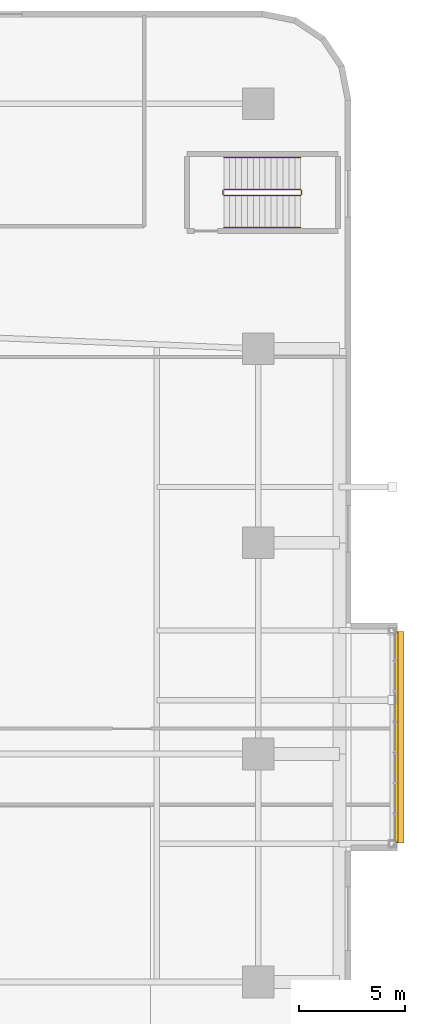
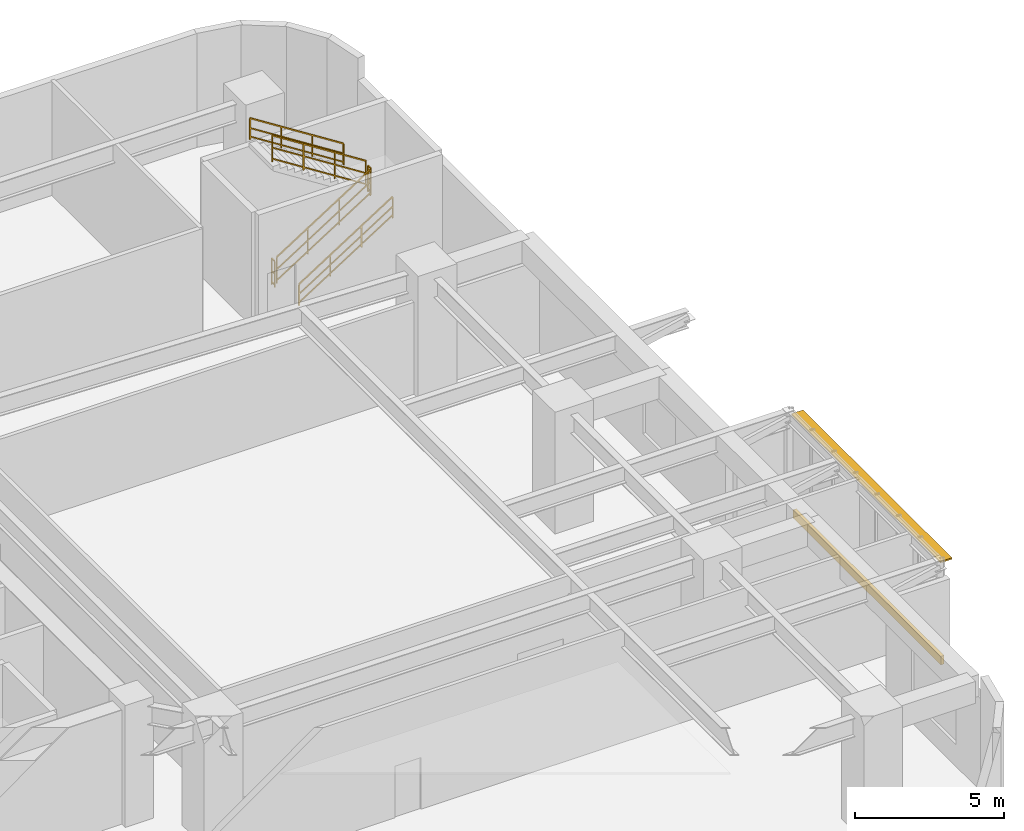
# One storey, part 22 of 23: 6 railings, 2 shading devices.
"""IFC4 building model written with IfcOpenShell, lengths in metres."""

from ifc_helpers import new_model, si_unit, direction, frame, origin, origin_2d, place, context, subcontext, project, spatial, rectangle, extrude, material, layer, layer_set, type_object, element, save


model = new_model("IFC4")

# Units and contexts
model_context = context("Model", 3, precision=1e-05, world=origin(), true_north=direction((0.0, 1.0)))
body_context = subcontext(model_context, "Body", "Model", "MODEL_VIEW")
ifc_project = project(units=[si_unit("LENGTHUNIT", "METRE"), si_unit("AREAUNIT", "SQUARE_METRE"), si_unit("VOLUMEUNIT", "CUBIC_METRE"), si_unit("PLANEANGLEUNIT", "RADIAN"), si_unit("MASSUNIT", "GRAM", prefix="KILO")], contexts=[model_context])

# Site, building, storey
site_placement = place(None, origin())
site = spatial("IfcSite", under=ifc_project, at=site_placement, CompositionType="ELEMENT")
building_placement = place(site_placement, origin())
building = spatial("IfcBuilding", under=site, at=building_placement, Name="Zulverin Broadcast Headquarters", CompositionType="ELEMENT")
storey_placement = place(building_placement, frame((0.0, 0.0, 10.0)))
storey = spatial("IfcBuildingStorey", under=building, at=storey_placement, Name="L02", CompositionType="ELEMENT", Elevation=10.0)

# Railings
ifc_material_1 = material(Name="Painted galvanized steel tubular guardrail S355JR", Category="steel")
railing_type_1 = type_object("IfcRailingType", Name="RL-ST-GUARD", PredefinedType="GUARDRAIL", material=ifc_material_1)
railing_1_placement = place(storey_placement, frame((67.969970703125, 41.64990234375, 0.178466796875)))
element("IfcRailing", 1, at=railing_1_placement, inside=storey, type_object=railing_type_1, Name="L02 ST-4 stair guard 1", PredefinedType="GUARDRAIL", context=body_context, shape_type="SweptSolid", body=[
    extrude(rectangle(XDim=0.048095703125, YDim=0.048095703125, at=origin_2d()), frame((0.0, 0.0, 1.076171875), z_axis=(0.843127859045, 0.0, 0.537713132908), x_axis=(0.0, 1.0, 0.0)), (0.0, 0.0, 1.0), 4.3173828125),
    extrude(rectangle(XDim=0.0419921875, YDim=0.0419921875, at=origin_2d()), frame((0.0, 0.0, 0.572021484375), z_axis=(0.843127859045, 0.0, 0.537713132908), x_axis=(0.0, 1.0, 0.0)), (0.0, 0.0, 1.0), 4.3173828125),
    extrude(rectangle(XDim=0.0419921875, YDim=0.0419921875, at=origin_2d()), frame((0.0, 0.0, 0.1201171875), z_axis=(0.843127859045, 0.0, 0.537713132908), x_axis=(0.0, 1.0, 0.0)), (0.0, 0.0, 1.0), 4.3173828125),
    extrude(rectangle(XDim=0.0419921875, YDim=0.0419921875, at=origin_2d()), origin(), (0.0, 0.0, 1.0), 1.052001953125),
    extrude(rectangle(XDim=0.0419921875, YDim=0.0419921875, at=origin_2d()), frame((1.21337890625, 0.0, 0.77392578125)), (0.0, 0.0, 1.0), 1.052001953125),
    extrude(rectangle(XDim=0.0419921875, YDim=0.0419921875, at=origin_2d()), frame((2.4267578125, 0.0, 1.547607421875)), (0.0, 0.0, 1.0), 1.052001953125),
    extrude(rectangle(XDim=0.0419921875, YDim=0.0419921875, at=origin_2d()), frame((3.64013671875, 0.0, 2.321533203125)), (0.0, 0.0, 1.0), 1.052001953125),
])
railing_2_placement = place(storey_placement, frame((71.659912109375, 41.699951171875, 2.5)))
element("IfcRailing", 2, at=railing_2_placement, inside=storey, type_object=railing_type_1, Name="L02 ST-4 stair guard 2", PredefinedType="GUARDRAIL", context=body_context, shape_type="SweptSolid", body=[
    extrude(rectangle(XDim=0.048095703125, YDim=0.048095703125, at=origin_2d()), frame((0.0, 0.0, 1.076171875), z_axis=(0.0, 1.0, 0.0), x_axis=(-1.0, 0.0, 0.0)), (0.0, 0.0, 1.0), 0.199951171875),
    extrude(rectangle(XDim=0.0419921875, YDim=0.0419921875, at=origin_2d()), frame((0.0, 0.0, 0.572021484375), z_axis=(0.0, 1.0, 0.0), x_axis=(-1.0, 0.0, 0.0)), (0.0, 0.0, 1.0), 0.199951171875),
    extrude(rectangle(XDim=0.0419921875, YDim=0.0419921875, at=origin_2d()), frame((0.0, 0.0, 0.1201171875), z_axis=(0.0, 1.0, 0.0), x_axis=(-1.0, 0.0, 0.0)), (0.0, 0.0, 1.0), 0.199951171875),
    extrude(rectangle(XDim=0.0419921875, YDim=0.0419921875, at=origin_2d()), origin(), (0.0, 0.0, 1.0), 1.052001953125),
    extrude(rectangle(XDim=0.0419921875, YDim=0.0419921875, at=origin_2d()), frame((0.0, 0.199951171875, 0.0)), (0.0, 0.0, 1.0), 1.052001953125),
])
railing_3_placement = place(storey_placement, frame((71.610107421875, 41.949951171875, 2.678466796875)))
element("IfcRailing", 3, at=railing_3_placement, inside=storey, type_object=railing_type_1, Name="L02 ST-4 stair guard 3", PredefinedType="GUARDRAIL", context=body_context, shape_type="SweptSolid", body=[
    extrude(rectangle(XDim=0.048095703125, YDim=0.048095703125, at=origin_2d()), frame((0.0, 0.0, 1.076171875), z_axis=(-0.843127859045, 0.0, 0.537713132908), x_axis=(0.0, -1.0, 0.0)), (0.0, 0.0, 1.0), 4.3173828125),
    extrude(rectangle(XDim=0.0419921875, YDim=0.0419921875, at=origin_2d()), frame((0.0, 0.0, 0.572021484375), z_axis=(-0.843127859045, 0.0, 0.537713132908), x_axis=(0.0, -1.0, 0.0)), (0.0, 0.0, 1.0), 4.3173828125),
    extrude(rectangle(XDim=0.0419921875, YDim=0.0419921875, at=origin_2d()), frame((0.0, 0.0, 0.1201171875), z_axis=(-0.843127859045, 0.0, 0.537713132908), x_axis=(0.0, -1.0, 0.0)), (0.0, 0.0, 1.0), 4.3173828125),
    extrude(rectangle(XDim=0.0419921875, YDim=0.0419921875, at=origin_2d()), origin(), (0.0, 0.0, 1.0), 1.052001953125),
    extrude(rectangle(XDim=0.0419921875, YDim=0.0419921875, at=origin_2d()), frame((-1.21337890625, 0.0, 0.77392578125)), (0.0, 0.0, 1.0), 1.052001953125),
    extrude(rectangle(XDim=0.0419921875, YDim=0.0419921875, at=origin_2d()), frame((-2.4267578125, 0.0, 1.547607421875)), (0.0, 0.0, 1.0), 1.052001953125),
    extrude(rectangle(XDim=0.0419921875, YDim=0.0419921875, at=origin_2d()), frame((-3.64013671875, 0.0, 2.321533203125)), (0.0, 0.0, 1.0), 1.052001953125),
])
railing_4_placement = place(storey_placement, frame((67.919921875, 41.699951171875, 0.0)))
element("IfcRailing", 4, at=railing_4_placement, inside=storey, type_object=railing_type_1, Name="L02 ST-4 stair guard 4", PredefinedType="GUARDRAIL", context=body_context, shape_type="SweptSolid", body=[
    extrude(rectangle(XDim=0.048095703125, YDim=0.048095703125, at=origin_2d()), frame((0.0, 0.0, 1.076171875), z_axis=(0.0, 1.0, 0.0), x_axis=(-1.0, 0.0, 0.0)), (0.0, 0.0, 1.0), 0.199951171875),
    extrude(rectangle(XDim=0.0419921875, YDim=0.0419921875, at=origin_2d()), frame((0.0, 0.0, 0.572021484375), z_axis=(0.0, 1.0, 0.0), x_axis=(-1.0, 0.0, 0.0)), (0.0, 0.0, 1.0), 0.199951171875),
    extrude(rectangle(XDim=0.0419921875, YDim=0.0419921875, at=origin_2d()), frame((0.0, 0.0, 0.1201171875), z_axis=(0.0, 1.0, 0.0), x_axis=(-1.0, 0.0, 0.0)), (0.0, 0.0, 1.0), 0.199951171875),
    extrude(rectangle(XDim=0.0419921875, YDim=0.0419921875, at=origin_2d()), origin(), (0.0, 0.0, 1.0), 1.052001953125),
    extrude(rectangle(XDim=0.0419921875, YDim=0.0419921875, at=origin_2d()), frame((0.0, 0.199951171875, 0.0)), (0.0, 0.0, 1.0), 1.052001953125),
])
ifc_material_2 = material(Name="Brushed stainless steel 48 mm handrail", Category="steel")
railing_type_2 = type_object("IfcRailingType", Name="RL-ST-HAND", PredefinedType="HANDRAIL", material=ifc_material_2)
railing_5_placement = place(storey_placement, frame((67.969970703125, 40.14990234375, 0.178466796875)))
element("IfcRailing", 5, at=railing_5_placement, inside=storey, type_object=railing_type_2, Name="L02 ST-4 stair handrail 1", PredefinedType="HANDRAIL", context=body_context, shape_type="SweptSolid", body=[
    extrude(rectangle(XDim=0.048095703125, YDim=0.048095703125, at=origin_2d()), frame((0.0, 0.0, 0.8759765625), z_axis=(0.843127859045, 0.0, 0.537713132908), x_axis=(0.0, 1.0, 0.0)), (0.0, 0.0, 1.0), 4.3173828125),
    extrude(rectangle(XDim=0.0419921875, YDim=0.0419921875, at=origin_2d()), frame((0.0, 0.0, 0.468017578125), z_axis=(0.843127859045, 0.0, 0.537713132908), x_axis=(0.0, 1.0, 0.0)), (0.0, 0.0, 1.0), 4.3173828125),
    extrude(rectangle(XDim=0.0419921875, YDim=0.0419921875, at=origin_2d()), frame((0.0, 0.0, 0.1201171875), z_axis=(0.843127859045, 0.0, 0.537713132908), x_axis=(0.0, 1.0, 0.0)), (0.0, 0.0, 1.0), 4.3173828125),
    extrude(rectangle(XDim=0.0419921875, YDim=0.0419921875, at=origin_2d()), origin(), (0.0, 0.0, 1.0), 0.851806640625),
    extrude(rectangle(XDim=0.0419921875, YDim=0.0419921875, at=origin_2d()), frame((1.21337890625, 0.0, 0.77392578125)), (0.0, 0.0, 1.0), 0.851806640625),
    extrude(rectangle(XDim=0.0419921875, YDim=0.0419921875, at=origin_2d()), frame((2.4267578125, 0.0, 1.547607421875)), (0.0, 0.0, 1.0), 0.851806640625),
    extrude(rectangle(XDim=0.0419921875, YDim=0.0419921875, at=origin_2d()), frame((3.64013671875, 0.0, 2.321533203125)), (0.0, 0.0, 1.0), 0.851806640625),
])
railing_6_placement = place(storey_placement, frame((71.610107421875, 43.449951171875, 2.678466796875)))
element("IfcRailing", 6, at=railing_6_placement, inside=storey, type_object=railing_type_2, Name="L02 ST-4 stair handrail 2", PredefinedType="HANDRAIL", context=body_context, shape_type="SweptSolid", body=[
    extrude(rectangle(XDim=0.048095703125, YDim=0.048095703125, at=origin_2d()), frame((0.0, 0.0, 0.8759765625), z_axis=(-0.843127859045, 0.0, 0.537713132908), x_axis=(0.0, -1.0, 0.0)), (0.0, 0.0, 1.0), 4.3173828125),
    extrude(rectangle(XDim=0.0419921875, YDim=0.0419921875, at=origin_2d()), frame((0.0, 0.0, 0.468017578125), z_axis=(-0.843127859045, 0.0, 0.537713132908), x_axis=(0.0, -1.0, 0.0)), (0.0, 0.0, 1.0), 4.3173828125),
    extrude(rectangle(XDim=0.0419921875, YDim=0.0419921875, at=origin_2d()), frame((0.0, 0.0, 0.1201171875), z_axis=(-0.843127859045, 0.0, 0.537713132908), x_axis=(0.0, -1.0, 0.0)), (0.0, 0.0, 1.0), 4.3173828125),
    extrude(rectangle(XDim=0.0419921875, YDim=0.0419921875, at=origin_2d()), origin(), (0.0, 0.0, 1.0), 0.851806640625),
    extrude(rectangle(XDim=0.0419921875, YDim=0.0419921875, at=origin_2d()), frame((-1.21337890625, 0.0, 0.77392578125)), (0.0, 0.0, 1.0), 0.851806640625),
    extrude(rectangle(XDim=0.0419921875, YDim=0.0419921875, at=origin_2d()), frame((-2.4267578125, 0.0, 1.547607421875)), (0.0, 0.0, 1.0), 0.851806640625),
    extrude(rectangle(XDim=0.0419921875, YDim=0.0419921875, at=origin_2d()), frame((-3.64013671875, 0.0, 2.321533203125)), (0.0, 0.0, 1.0), 0.851806640625),
])

# Shading devices
ifc_material_3 = material(Name="Anodized pale-metal aluminium acoustic louvre", Category="aluminium")
shading_device_type_1 = type_object("IfcShadingDeviceType", Name="SHD-LOUVRE-350", PredefinedType="USERDEFINED", material=ifc_material_3)
shading_device_1_placement = place(storey_placement, frame((76.159912109375, 16.0, 0.224853515625), z_axis=(0.0, 0.0, 1.0), x_axis=(0.0, 1.0, 0.0)))
element("IfcShadingDevice", 7, at=shading_device_1_placement, inside=storey, type_object=shading_device_type_1, Name="L02 Pale-Metal Acoustic Louvre Screen CW-L02-SBOX_POD_LOWER_E1-F", ObjectType="LOUVRE", PredefinedType="USERDEFINED", context=body_context, shape_type="SweptSolid", body=[
    extrude(rectangle(XDim=9.93994140625, YDim=0.1201171875, at=origin_2d()), origin(), (0.0, 0.0, 1.0), 0.35009765625),
])
ifc_material_4 = material(Name="Anodized pale-metal aluminium sunshade", Category="aluminium")
ifc_layer = layer(ifc_material_4, 0.06005859375, Name="Anodized pale-metal aluminium sunshade", Category="aluminium")
ifc_layer_set = layer_set([ifc_layer], Name="Anodized pale-metal aluminium sunshade")
shading_device_type_2 = type_object("IfcShadingDeviceType", Name="SS-01_PALE_METAL_ALUMINIUM_SUNSHADE", PredefinedType="USERDEFINED", material=ifc_layer_set)
shading_device_2_placement = place(storey_placement, frame((76.280029296875, 16.0, 4.449951171875), z_axis=(0.0, 0.0, 1.0), x_axis=(0.0, 1.0, 0.0)))
element("IfcShadingDevice", 8, at=shading_device_2_placement, inside=storey, type_object=shading_device_type_2, Name="L02 Pale-Metal Horizontal Sunshade Band CW-L02-SBOX_POD_LOWER_E1-F", ObjectType="SUNSHADE", PredefinedType="USERDEFINED", context=body_context, shape_type="SweptSolid", body=[
    extrude(rectangle(XDim=10.02001953125, YDim=0.449951171875, at=origin_2d()), origin(), (0.0, 0.0, 1.0), 0.06005859375),
])

save(model, "model.ifc")
